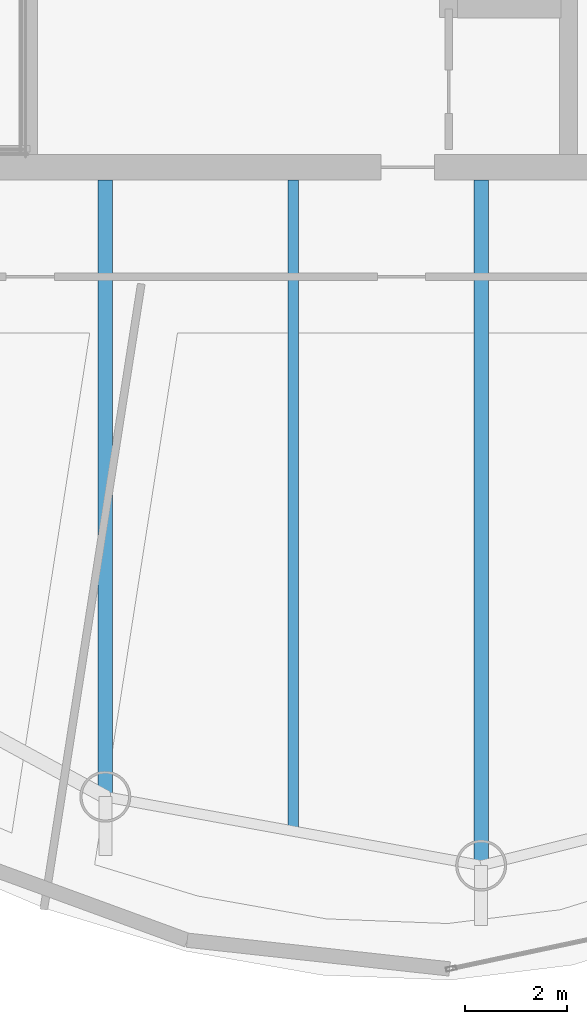
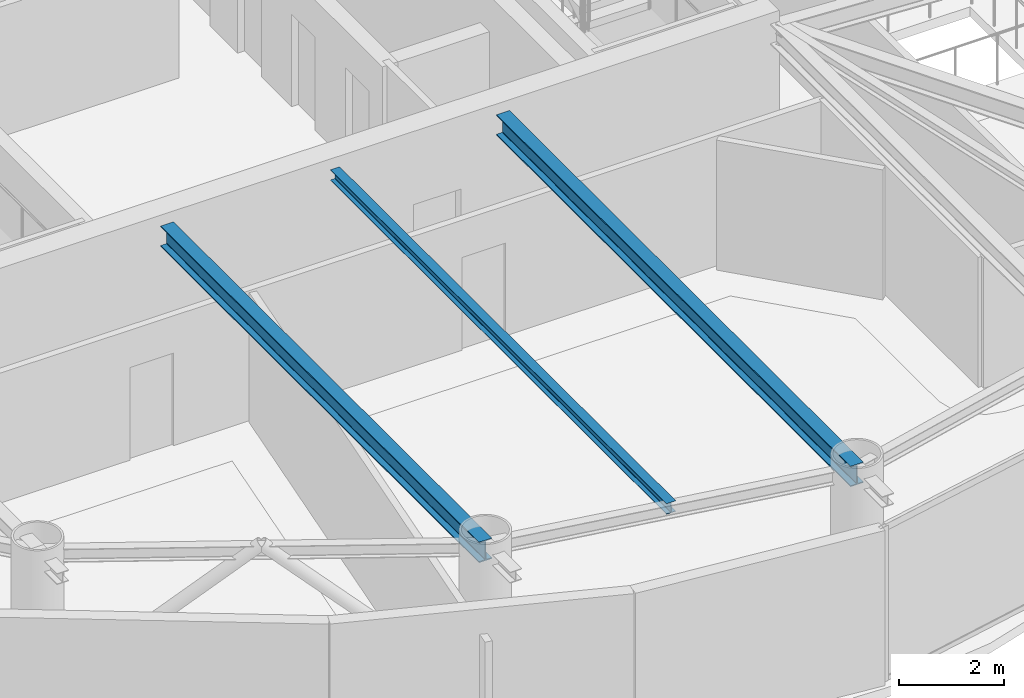
# One storey, part 4 of 20: 3 beams.
"""IFC4 building model written with IfcOpenShell, lengths in metres."""

from ifc_helpers import new_model, si_unit, direction, frame, origin, origin_2d, place, context, subcontext, project, spatial, i_section, extrude, material, material_profile, profile_set, type_object, element, save


model = new_model("IFC4")

# Units and contexts
model_context = context("Model", 3, precision=1e-05, world=origin(), true_north=direction((0.0, 1.0)))
body_context = subcontext(model_context, "Body", "Model", "MODEL_VIEW")
ifc_project = project(units=[si_unit("LENGTHUNIT", "METRE"), si_unit("AREAUNIT", "SQUARE_METRE"), si_unit("VOLUMEUNIT", "CUBIC_METRE"), si_unit("PLANEANGLEUNIT", "RADIAN"), si_unit("MASSUNIT", "GRAM", prefix="KILO")], contexts=[model_context])

# Site, building, storey
site_placement = place(None, origin())
site = spatial("IfcSite", under=ifc_project, at=site_placement, CompositionType="ELEMENT")
building_placement = place(site_placement, origin())
building = spatial("IfcBuilding", under=site, at=building_placement, Name="Bramvorn Convention Spire", CompositionType="ELEMENT")
storey_placement = place(building_placement, frame((0.0, 0.0, 303.64990234375)))
storey = spatial("IfcBuildingStorey", under=building, at=storey_placement, Name="L77", CompositionType="ELEMENT", Elevation=303.64990234375)

# Beams
ifc_material = material(Name="Steel CSA G40.21 Grade 350 (350W)", Category="steel")
ifc_material_profile_1 = material_profile(ifc_material, i_section(OverallWidth=0.201904296875, OverallDepth=0.2470703125, WebThickness=0.00732421875, FlangeThickness=0.010986328125, FilletRadius=0.011962890625, at=origin_2d()))
ifc_profile_set_1 = profile_set([ifc_material_profile_1], Name="Steel CSA G40.21 Grade 350 (350W) - W250X49")
beam_type_1 = type_object("IfcBeamType", Name="BM-W250X49", PredefinedType="JOIST", material=ifc_profile_set_1)
beam_1_placement = place(storey_placement, frame((39.501953125, 18.550048828125, 3.4765625), z_axis=(0.0, -1.0, 0.0), x_axis=(1.0, 0.0, 0.0)))
element("IfcBeam", 1, at=beam_1_placement, inside=storey, type_object=beam_type_1, Name="L77 composite floor joist 15", PredefinedType="JOIST", context=body_context, shape_type="SweptSolid", body=[
    extrude(i_section(OverallWidth=0.201904296875, OverallDepth=0.2470703125, WebThickness=0.00732421875, FlangeThickness=0.010986328125, FilletRadius=0.011962890625, at=origin_2d()), origin(), (0.0, 0.0, 1.0), 12.77587890625),
])
ifc_material_profile_2 = material_profile(ifc_material, i_section(OverallWidth=0.283935546875, OverallDepth=0.47607421875, WebThickness=0.014892578125, FlangeThickness=0.02392578125, FilletRadius=0.01806640625, at=origin_2d()))
ifc_profile_set_2 = profile_set([ifc_material_profile_2], Name="Steel CSA G40.21 Grade 350 (350W) - W460X158")
beam_type_2 = type_object("IfcBeamType", Name="BM-W460X158", PredefinedType="SPANDREL", material=ifc_profile_set_2)
beam_2_placement = place(storey_placement, frame((35.8154296875, 18.550048828125, 3.362060546875), z_axis=(0.0, -1.0, 0.0), x_axis=(1.0, 0.0, 0.0)))
element("IfcBeam", 2, at=beam_2_placement, inside=storey, type_object=beam_type_2, Name="L77 radial floor girder MC15", PredefinedType="SPANDREL", context=body_context, shape_type="SweptSolid", body=[
    extrude(i_section(OverallWidth=0.283935546875, OverallDepth=0.47607421875, WebThickness=0.014892578125, FlangeThickness=0.02392578125, FilletRadius=0.01806640625, at=origin_2d()), origin(), (0.0, 0.0, 1.0), 12.100830078125),
])
beam_3_placement = place(storey_placement, frame((43.1884765625, 18.550048828125, 3.362060546875), z_axis=(0.0, -1.0, 0.0), x_axis=(1.0, 0.0, 0.0)))
element("IfcBeam", 3, at=beam_3_placement, inside=storey, type_object=beam_type_2, Name="L77 radial floor girder MC16", PredefinedType="SPANDREL", context=body_context, shape_type="SweptSolid", body=[
    extrude(i_section(OverallWidth=0.283935546875, OverallDepth=0.47607421875, WebThickness=0.014892578125, FlangeThickness=0.02392578125, FilletRadius=0.01806640625, at=origin_2d()), origin(), (0.0, 0.0, 1.0), 13.450927734375),
])

save(model, "model.ifc")
